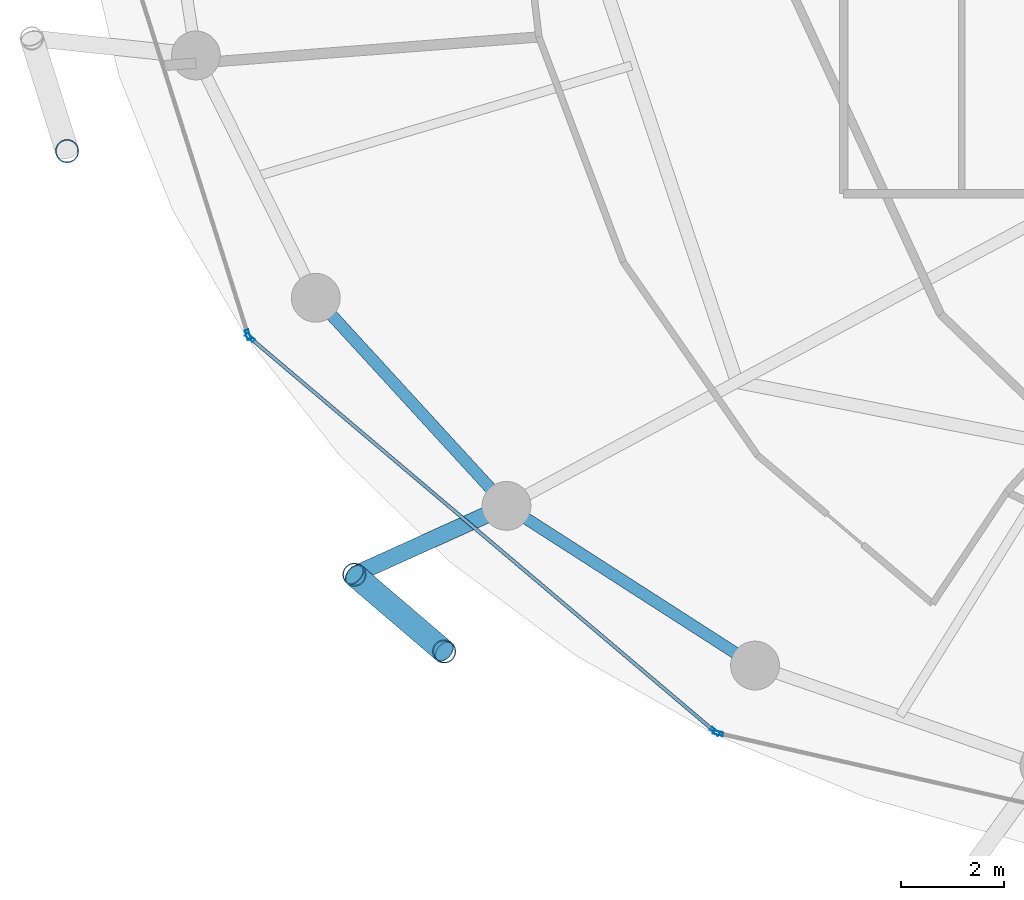
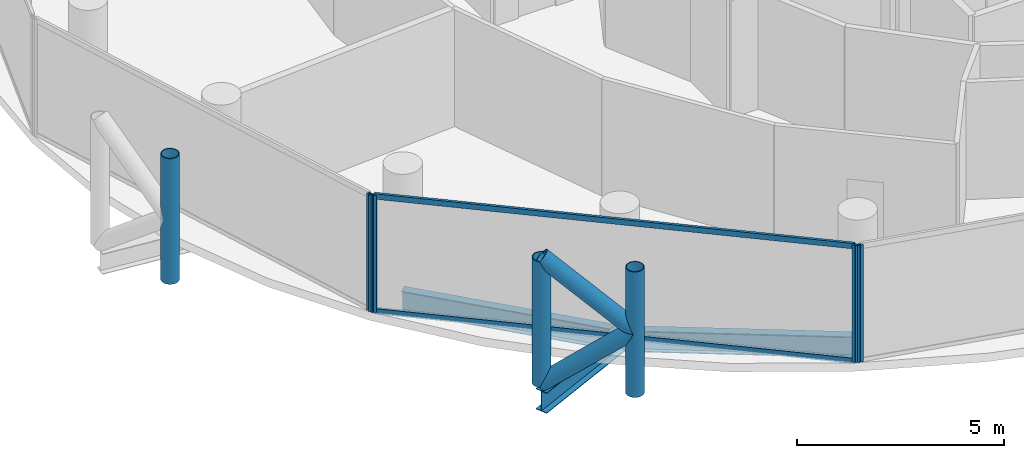
# One storey, part 2 of 26: 11 members, 3 beams, 3 elements without a shape of their own.
"""IFC4 building model written with IfcOpenShell, lengths in metres."""

from ifc_helpers import new_model, si_unit, direction, frame, origin, origin_2d, place, context, subcontext, project, spatial, hollow_rectangle, hollow_circle, i_section, extrude, material, layer, layer_set, material_profile, profile_set, type_object, element, aggregate, save


model = new_model("IFC4")

# Units and contexts
model_context = context("Model", 3, precision=1e-05, world=origin(), true_north=direction((0.0, 1.0)))
body_context = subcontext(model_context, "Body", "Model", "MODEL_VIEW")
ifc_project = project(units=[si_unit("LENGTHUNIT", "METRE"), si_unit("AREAUNIT", "SQUARE_METRE"), si_unit("VOLUMEUNIT", "CUBIC_METRE"), si_unit("PLANEANGLEUNIT", "RADIAN"), si_unit("MASSUNIT", "GRAM", prefix="KILO")], contexts=[model_context])

# Site, building, storey
site_placement = place(None, origin())
site = spatial("IfcSite", under=ifc_project, at=site_placement, CompositionType="ELEMENT")
building_placement = place(site_placement, origin())
building = spatial("IfcBuilding", under=site, at=building_placement, Name="Nuhasar Tower", CompositionType="ELEMENT")
storey_placement = place(building_placement, frame((0.0, 0.0, 144.14990234375)))
storey = spatial("IfcBuildingStorey", under=building, at=storey_placement, Name="L34", CompositionType="ELEMENT", Elevation=144.14990234375)

# Beams
ifc_material_1 = material(Name="Steel S355", Category="steel")
ifc_material_profile_1 = material_profile(ifc_material_1, i_section(OverallWidth=0.22998046875, OverallDepth=0.616943359375, WebThickness=0.01318359375, FlangeThickness=0.022216796875, at=origin_2d()), Name="W24X94")
ifc_profile_set_1 = profile_set([ifc_material_profile_1], Name="Steel S355")
beam_type_1 = type_object("IfcBeamType", Name="BM-RING-W24X94", PredefinedType="SPANDREL", material=ifc_profile_set_1)
beam_1_placement = place(storey_placement, frame((18.778076171875, 17.02490234375, -0.558837890625), z_axis=(0.675676316545, -0.737198423262, 0.0), x_axis=(0.737198423262, 0.675676316545, 0.0)))
element("IfcBeam", 1, at=beam_1_placement, inside=storey, type_object=beam_type_1, Name="L34 Perimeter Ring Spandrel 15", PredefinedType="SPANDREL", context=body_context, shape_type="SweptSolid", body=[
    extrude(i_section(OverallWidth=0.22998046875, OverallDepth=0.616943359375, WebThickness=0.01318359375, FlangeThickness=0.022216796875, at=origin_2d()), origin(), (0.0, 0.0, 1.0), 5.4921875),
])
beam_2_placement = place(storey_placement, frame((22.489013671875, 12.97607421875, -0.558837890625), z_axis=(0.841308170616, -0.540555789955, 0.0), x_axis=(0.540555789955, 0.841308170616, 0.0)))
element("IfcBeam", 2, at=beam_2_placement, inside=storey, type_object=beam_type_1, Name="L34 Perimeter Ring Spandrel 16", PredefinedType="SPANDREL", context=body_context, shape_type="SweptSolid", body=[
    extrude(i_section(OverallWidth=0.22998046875, OverallDepth=0.616943359375, WebThickness=0.01318359375, FlangeThickness=0.022216796875, at=origin_2d()), origin(), (0.0, 0.0, 1.0), 5.748046875),
])
ifc_material_profile_2 = material_profile(ifc_material_1, i_section(OverallWidth=0.323974609375, OverallDepth=0.611083984375, WebThickness=0.0126953125, FlangeThickness=0.01904296875, at=origin_2d()), Name="W24X104")
ifc_profile_set_2 = profile_set([ifc_material_profile_2], Name="Steel S355")
beam_type_2 = type_object("IfcBeamType", Name="BM-TIE-W24X104", PredefinedType="BEAM", material=ifc_profile_set_2)
beam_3_placement = place(storey_placement, frame((22.489013671875, 12.97607421875, -0.554931640625), z_axis=(-0.911211381786, -0.411939094653, 0.0), x_axis=(0.411939094653, -0.911211381786, 0.0)))
element("IfcBeam", 3, at=beam_3_placement, inside=storey, type_object=beam_type_2, Name="L34 Exoskeleton Node Tie Beam 08", PredefinedType="BEAM", context=body_context, shape_type="SweptSolid", body=[
    extrude(i_section(OverallWidth=0.323974609375, OverallDepth=0.611083984375, WebThickness=0.0126953125, FlangeThickness=0.01904296875, at=origin_2d()), origin(), (0.0, 0.0, 1.0), 3.248291015625),
])

# Curtain wall, member
ifc_material_2 = material(Name="Aluminium 6063-T6", Category="aluminium")
ifc_layer = layer(ifc_material_2, 0.199951171875)
ifc_layer_set = layer_set([ifc_layer], Name="Aluminium 6063-T6")
curtain_wall_type = type_object("IfcCurtainWallType", Name="CW-Z2-HTL", PredefinedType="NOTDEFINED", material=ifc_layer_set)
curtain_wall_1_placement = place(storey_placement, origin())
curtain_wall_1 = element("IfcCurtainWall", 4, at=curtain_wall_1_placement, inside=storey, type_object=curtain_wall_type, Name="L34 Unitised Curtain Wall 07", PredefinedType="NOTDEFINED")
ifc_material_profile_3 = material_profile(ifc_material_2, hollow_rectangle(XDim=0.070068359375, YDim=0.199951171875, WallThickness=0.0048828125, at=origin_2d()), Name="CWM-3")
ifc_profile_set_3 = profile_set([ifc_material_profile_3], Name="Aluminium 6063-T6")
member_type_1 = type_object("IfcMemberType", Name="CW-MUL-S3", PredefinedType="MULLION", material=ifc_profile_set_3)
member_1_placement = place(storey_placement, frame((17.46044921875, 16.303466796875, 0.0), z_axis=(0.0, 0.0, 1.0), x_axis=(0.953433389233, 0.301603667577, 0.0)))
member_1 = element("IfcMember", 5, at=member_1_placement, type_object=member_type_1, Name="CW-Z2 mullion 2", PredefinedType="MULLION", context=body_context, shape_type="SweptSolid", body=[
    extrude(hollow_rectangle(XDim=0.070068359375, YDim=0.199951171875, WallThickness=0.0048828125, at=origin_2d()), origin(), (0.0, 0.0, 1.0), 3.4501953125),
])
aggregate(curtain_wall_1, [member_1])

# Curtain wall, members
curtain_wall_2_placement = place(storey_placement, origin())
curtain_wall_2 = element("IfcCurtainWall", 6, at=curtain_wall_2_placement, inside=storey, type_object=curtain_wall_type, Name="L34 Unitised Curtain Wall 08", PredefinedType="NOTDEFINED")
member_2_placement = place(storey_placement, frame((17.497802734375, 16.247314453125, 0.0), z_axis=(0.0, 0.0, 1.0), x_axis=(0.646374438324, 0.763020370292, 0.0)))
member_2 = element("IfcMember", 7, at=member_2_placement, type_object=member_type_1, Name="CW-Z2 mullion 1", PredefinedType="MULLION", context=body_context, shape_type="SweptSolid", body=[
    extrude(hollow_rectangle(XDim=0.070068359375, YDim=0.199951171875, WallThickness=0.0048828125, at=origin_2d()), origin(), (0.0, 0.0, 1.0), 3.4501953125),
])
member_3_placement = place(storey_placement, frame((26.543212890625, 8.584716796875, 0.0), z_axis=(0.0, 0.0, 1.0), x_axis=(0.646374438324, 0.763020370292, 0.0)))
member_3 = element("IfcMember", 8, at=member_3_placement, type_object=member_type_1, Name="CW-Z2 mullion 2", PredefinedType="MULLION", context=body_context, shape_type="SweptSolid", body=[
    extrude(hollow_rectangle(XDim=0.070068359375, YDim=0.199951171875, WallThickness=0.0048828125, at=origin_2d()), origin(), (0.0, 0.0, 1.0), 3.4501953125),
])

# Curtain wall, member
curtain_wall_3_placement = place(storey_placement, origin())
curtain_wall_3 = element("IfcCurtainWall", 9, at=curtain_wall_3_placement, inside=storey, type_object=curtain_wall_type, Name="L34 Unitised Curtain Wall 09", PredefinedType="NOTDEFINED")
member_4_placement = place(storey_placement, frame((26.604248046875, 8.55419921875, 0.0), z_axis=(0.0, 0.0, 1.0), x_axis=(0.22139729566, 0.975183694221, 0.0)))
member_4 = element("IfcMember", 10, at=member_4_placement, type_object=member_type_1, Name="CW-Z2 mullion 1", PredefinedType="MULLION", context=body_context, shape_type="SweptSolid", body=[
    extrude(hollow_rectangle(XDim=0.070068359375, YDim=0.199951171875, WallThickness=0.0048828125, at=origin_2d()), origin(), (0.0, 0.0, 1.0), 3.4501953125),
])
aggregate(curtain_wall_3, [member_4])

# Member
ifc_material_profile_4 = material_profile(ifc_material_2, hollow_rectangle(XDim=0.070068359375, YDim=0.159912109375, WallThickness=0.00439453125, at=origin_2d()), Name="CWT-3")
ifc_profile_set_4 = profile_set([ifc_material_profile_4], Name="Aluminium 6063-T6")
member_type_2 = type_object("IfcMemberType", Name="CW-TRN-S3", PredefinedType="USERDEFINED", material=ifc_profile_set_4)
member_5_placement = place(storey_placement, frame((17.5244140625, 16.224853515625, 0.03515625), z_axis=(0.763013698099, -0.646382314511, 0.0), x_axis=(0.646382314511, 0.763013698099, 0.0)))
member_5 = element("IfcMember", 11, at=member_5_placement, type_object=member_type_2, Name="CW-Z2 transom 1.1", ObjectType="TRANSOM", PredefinedType="USERDEFINED", context=body_context, shape_type="SweptSolid", body=[
    extrude(hollow_rectangle(XDim=0.070068359375, YDim=0.159912109375, WallThickness=0.00439453125, at=origin_2d()), origin(), (0.0, 0.0, 1.0), 11.78515625),
])

member_6_placement = place(storey_placement, frame((17.5244140625, 16.224853515625, 3.4150390625), z_axis=(0.763013698099, -0.646382314511, 0.0), x_axis=(0.646382314511, 0.763013698099, 0.0)))
member_6 = element("IfcMember", 12, at=member_6_placement, type_object=member_type_2, Name="CW-Z2 transom 1.2", ObjectType="TRANSOM", PredefinedType="USERDEFINED", context=body_context, shape_type="SweptSolid", body=[
    extrude(hollow_rectangle(XDim=0.070068359375, YDim=0.159912109375, WallThickness=0.00439453125, at=origin_2d()), origin(), (0.0, 0.0, 1.0), 11.78515625),
])

aggregate(curtain_wall_2, [member_2, member_3, member_5, member_6])

# Members
ifc_material_3 = material(Name="Steel S460", Category="steel")
ifc_material_profile_5 = material_profile(ifc_material_3, hollow_circle(Radius=0.228515625, WallThickness=0.022216796875, at=origin_2d()), Name="HSS457X22.2")
ifc_profile_set_5 = profile_set([ifc_material_profile_5], Name="Steel S460")
member_type_3 = type_object("IfcMemberType", Name="EXO-BRONZE-457", PredefinedType="BRACE", material=ifc_profile_set_5)
for number, where, z_axis, x_axis, name in (
    (13, (13.93994140625, 19.87890625, 0.0), (0.0, 0.0, 1.0), (1.0, 0.0, 0.0), "L34 Exoskeleton Chord Column EC-07B"),
    (14, (19.529052734375, 11.637939453125, 0.0), (0.0, 0.0, 1.0), (1.0, 0.0, 0.0), "L34 Exoskeleton Chord Column EC-08A"),
    (15, (21.277099609375, 10.14306640625, 0.0), (0.0, 0.0, 1.0), (1.0, 0.0, 0.0), "L34 Exoskeleton Chord Column EC-08B"),
):
    element("IfcMember", number, at=place(storey_placement, frame(where, z_axis=z_axis, x_axis=x_axis)), inside=storey, type_object=member_type_3, Name=name, PredefinedType="BRACE", context=body_context, shape_type="SweptSolid", body=[
        extrude(hollow_circle(Radius=0.228515625, WallThickness=0.022216796875, at=origin_2d()), origin(), (0.0, 0.0, 1.0), 3.7001953125),
    ])
for number, where, z_axis, x_axis, name in (
    (16, (19.529052734375, 11.637939453125, 0.0), (0.592195175458, -0.506426125604, 0.626767463634), (0.649925557156, 0.7599978751, 0.0), "L34 Bronze Diagrid Brace W1-08"),
    (17, (21.277099609375, 10.14306640625, 1.85009765625), (-0.592195175458, 0.506426125604, 0.626767463634), (-0.649925557156, -0.7599978751, 0.0), "L34 Bronze Diagrid Brace W2-08"),
):
    element("IfcMember", number, at=place(storey_placement, frame(where, z_axis=z_axis, x_axis=x_axis)), inside=storey, type_object=member_type_3, Name=name, PredefinedType="BRACE", context=body_context, shape_type="SweptSolid", body=[
        extrude(hollow_circle(Radius=0.228515625, WallThickness=0.022216796875, at=origin_2d()), origin(), (0.0, 0.0, 1.0), 2.951904296875),
    ])

save(model, "model.ifc")
